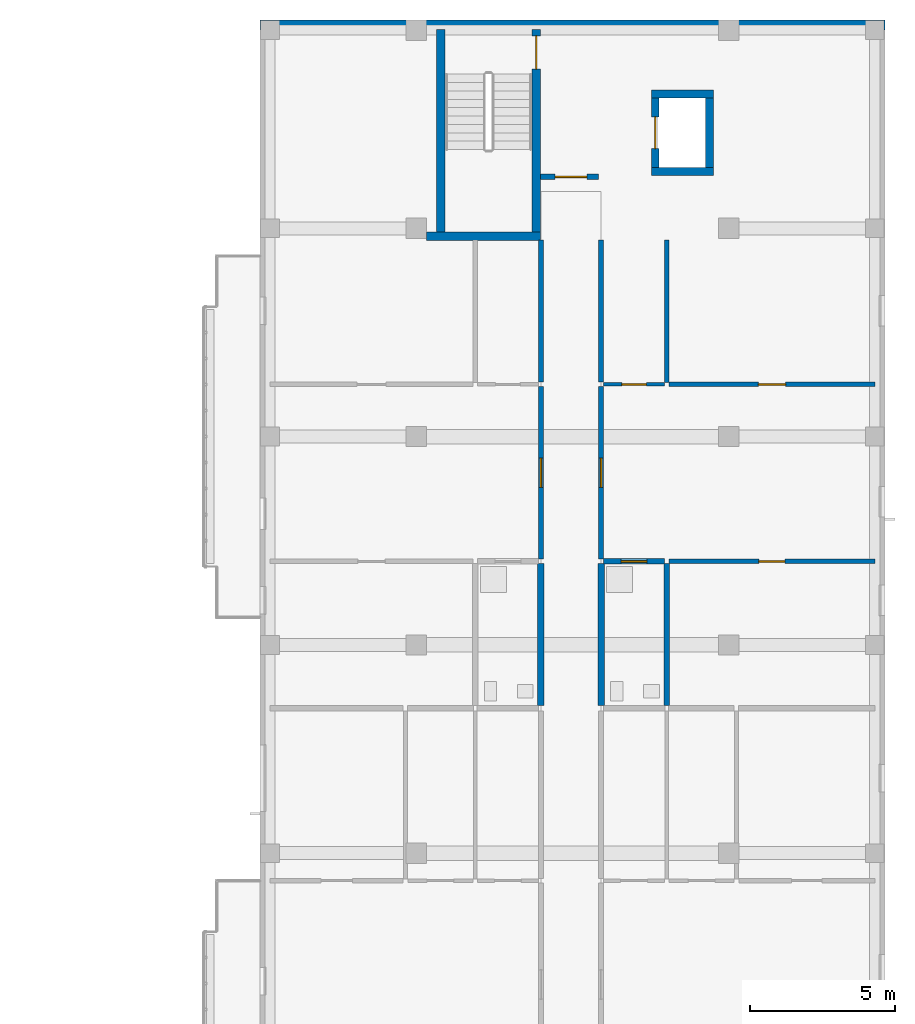
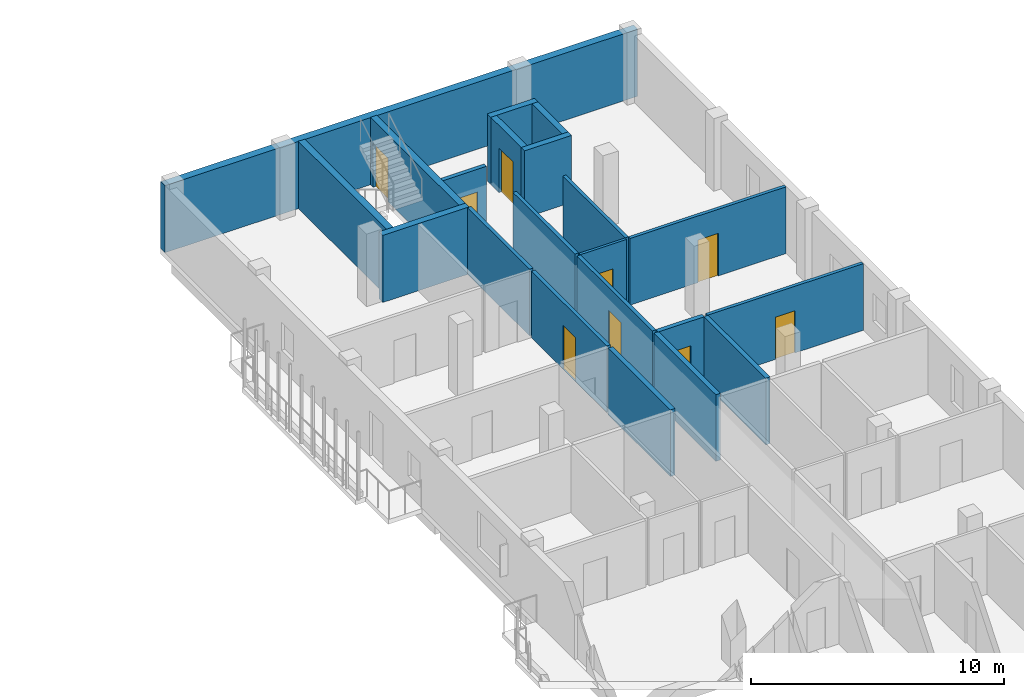
# One storey, part 51 of 73: 21 walls, 9 doors, 9 openings.
"""IFC4 building model written with IfcOpenShell, lengths in metres."""

from ifc_helpers import new_model, si_unit, derived_unit, direction, frame, frame_2d, origin, place, context, subcontext, project, spatial, rectangle, extrude, material, layer, layer_set, type_object, element, fill, save


model = new_model("IFC4")

# Units and contexts
model_context = context("Model", 3, precision=1e-05, world=origin(), true_north=direction((0.0, 1.0)))
body_context = subcontext(model_context, "Body", "Model", "MODEL_VIEW")
ifc_project = project(units=[si_unit("LENGTHUNIT", "METRE"), si_unit("AREAUNIT", "SQUARE_METRE"), si_unit("VOLUMEUNIT", "CUBIC_METRE"), si_unit("PLANEANGLEUNIT", "RADIAN"), si_unit("MASSUNIT", "GRAM", prefix="KILO"), derived_unit("THERMALTRANSMITTANCEUNIT", [(si_unit("MASSUNIT", "GRAM", prefix="KILO"), 1), (si_unit("TIMEUNIT", "SECOND"), -3), (si_unit("THERMODYNAMICTEMPERATUREUNIT", "KELVIN"), -1)])], contexts=[model_context])

# Site, building, storey
site_placement = place(None, origin())
site = spatial("IfcSite", under=ifc_project, at=site_placement, CompositionType="ELEMENT")
building_placement = place(site_placement, origin())
building = spatial("IfcBuilding", under=site, at=building_placement, Name="Ochrekiln Boulevard Commons", CompositionType="ELEMENT")
storey_placement = place(building_placement, frame((0.0, 0.0, 8.574951171875)))
storey = spatial("IfcBuildingStorey", under=building, at=storey_placement, Name="L02", CompositionType="ELEMENT", Elevation=8.574951171875)

# Wall
ifc_material_1 = material(Name="Iron-spot brown clinker brick masonry ASTM C216 Grade SW", Category="masonry")
ifc_layer_1 = layer(ifc_material_1, 0.340087890625)
ifc_layer_set_1 = layer_set([ifc_layer_1], Name="Iron-spot brown clinker brick masonry ASTM C216 Grade SW")
wall_type_1 = type_object("IfcWallType", Name="WL-EXT-IRON-340", PredefinedType="SOLIDWALL", material=ifc_layer_set_1)
wall_1_placement = place(storey_placement, frame((151.199951171875, 118.6298828125, 0.0), z_axis=(0.0, 0.0, 1.0), x_axis=(1.0, 0.0, 0.0)))
element("IfcWall", 1, at=wall_1_placement, inside=storey, type_object=wall_type_1, Name="Block B L02 N Exterior Wall", PredefinedType="SOLIDWALL", context=body_context, shape_type="SweptSolid", body=[
    extrude(rectangle(XDim=21.60009765625, YDim=0.340087890625, at=frame_2d((10.800048828125, 0.0))), origin(), (0.0, 0.0, 1.0), 3.239990234375),
])

# Wall, opening, door
ifc_material_2 = material(Name="Moisture-resistant cementitious tile backer wall")
ifc_layer_2 = layer(ifc_material_2, 0.199951171875)
ifc_layer_set_2 = layer_set([ifc_layer_2], Name="Moisture-resistant cementitious tile backer wall")
wall_type_2 = type_object("IfcWallType", Name="WL-PLM-200", PredefinedType="PLUMBINGWALL", material=ifc_layer_set_2)
wall_2_placement = place(storey_placement, frame((163.072998046875, 100.090087890625, 0.0), z_axis=(0.0, 0.0, 1.0), x_axis=(1.0, 0.0, 0.0)))
wall_2 = element("IfcWall", 2, at=wall_2_placement, inside=storey, type_object=wall_type_2, Name="L02 Interior Wall W-PW200", PredefinedType="PLUMBINGWALL", context=body_context, shape_type="SweptSolid", body=[
    extrude(rectangle(XDim=2.10693359375, YDim=0.199951171875, at=frame_2d((1.053466796875, 0.0))), origin(), (0.0, 0.0, 1.0), 3.219970703125),
])
opening_1_placement = place(wall_2_placement, frame((0.612060546875, 0.0, 0.0)))
opening_1 = element("IfcOpeningElement", 3, at=opening_1_placement, cuts=wall_2, Name="Opening D-L02-361", PredefinedType="OPENING", context=body_context, shape_type="SweptSolid", body=[
    extrude(rectangle(XDim=0.889892578125, YDim=2.030029296875, at=frame_2d((0.44482421875, 1.01513671875))), frame((0.0, 0.10986328125, 0.0), z_axis=(0.0, -1.0, 0.0), x_axis=(1.0, 0.0, 0.0)), (0.0, 0.0, 1.0), 0.219970703125),
])
ifc_material_3 = material(Name="Solid core architectural oak door leaf")
door_type_1 = type_object("IfcDoorType", Name="DR-INT-BTH-089", OperationType="NOTDEFINED", PredefinedType="DOOR", material=ifc_material_3)
door_1_placement = place(opening_1_placement, frame((0.889892578125, 0.0, 0.0), z_axis=(0.0, 0.0, 1.0), x_axis=(-1.0, 0.0, 0.0)))
door_1 = element("IfcDoor", 4, at=door_1_placement, inside=storey, type_object=door_type_1, Name="L02 Interior Door to Apartment Bathroom", OperationType="SINGLE_SWING_LEFT", OverallHeight=2.030029296875, OverallWidth=0.889892578125, PredefinedType="DOOR", context=body_context, shape_type="SweptSolid", body=[
    extrude(rectangle(XDim=0.889892578125, YDim=2.030029296875, at=frame_2d((0.44482421875, 1.01513671875))), frame((0.0, 0.02490234375, 0.0), z_axis=(0.0, -1.0, 0.0), x_axis=(1.0, 0.0, 0.0)), (0.0, 0.0, 1.0), 0.050048828125),
])
fill(opening_1, door_1)

# Walls
wall_3_placement = place(storey_placement, frame((165.260009765625, 95.097900390625, 0.0), z_axis=(0.0, 0.0, 1.0), x_axis=(0.0, 1.0, 0.0)))
element("IfcWall", 5, at=wall_3_placement, inside=storey, type_object=wall_type_2, Name="L02 Interior Wall W-PW200", PredefinedType="PLUMBINGWALL", context=body_context, shape_type="SweptSolid", body=[
    extrude(rectangle(XDim=4.912109375, YDim=0.199951171875, at=frame_2d((2.4560546875, 0.0))), origin(), (0.0, 0.0, 1.0), 3.219970703125),
])
ifc_layer_3 = layer(ifc_material_2, 0.219970703125)
ifc_layer_set_3 = layer_set([ifc_layer_3], Name="Moisture-resistant cementitious tile backer wall")
wall_type_3 = type_object("IfcWallType", Name="WL-PLM-220", PredefinedType="PLUMBINGWALL", material=ifc_layer_set_3)
for number, where, z_axis, x_axis, name in (
    (6, (160.909912109375, 95.097900390625, 0.0), (0.0, 0.0, 1.0), (0.0, 1.0, 0.0), "L02 Interior Wall W-PW220"),
    (7, (162.989990234375, 95.097900390625, 0.0), (0.0, 0.0, 1.0), (0.0, 1.0, 0.0), "L02 Interior Wall W-PW220"),
):
    element("IfcWall", number, at=place(storey_placement, frame(where, z_axis=z_axis, x_axis=x_axis)), inside=storey, type_object=wall_type_3, Name=name, PredefinedType="PLUMBINGWALL", context=body_context, shape_type="SweptSolid", body=[
        extrude(rectangle(XDim=4.912109375, YDim=0.219970703125, at=frame_2d((2.4560546875, 0.0))), origin(), (0.0, 0.0, 1.0), 3.219970703125),
    ])

# Wall, opening, door
ifc_material_4 = material(Name="Fire-rated Type X gypsum board on steel studs", Category="steel")
ifc_layer_4 = layer(ifc_material_4, 0.1650390625)
ifc_layer_set_4 = layer_set([ifc_layer_4], Name="Fire-rated Type X gypsum board on steel studs")
wall_type_4 = type_object("IfcWallType", Name="WL-PT-CORR-165", PredefinedType="PARTITIONING", material=ifc_layer_set_4)
wall_4_placement = place(storey_placement, frame((160.909912109375, 100.169921875, 0.0), z_axis=(0.0, 0.0, 1.0), x_axis=(0.0, 1.0, 0.0)))
wall_4 = element("IfcWall", 8, at=wall_4_placement, inside=storey, type_object=wall_type_4, Name="L02 Interior Wall W-PC165", PredefinedType="PARTITIONING", context=body_context, shape_type="SweptSolid", body=[
    extrude(rectangle(XDim=5.9580078125, YDim=0.1650390625, at=frame_2d((2.97900390625, 0.0))), origin(), (0.0, 0.0, 1.0), 3.219970703125),
])
opening_2_placement = place(wall_4_placement, frame((2.47412109375, 0.0, 0.0)))
opening_2 = element("IfcOpeningElement", 9, at=opening_2_placement, cuts=wall_4, Name="Opening D-L02-340", PredefinedType="OPENING", context=body_context, shape_type="SweptSolid", body=[
    extrude(rectangle(XDim=1.010009765625, YDim=2.110107421875, at=frame_2d((0.5048828125, 1.05517578125))), frame((0.0, 0.092529296875, 0.0), z_axis=(0.0, -1.0, 0.0), x_axis=(1.0, 0.0, 0.0)), (0.0, 0.0, 1.0), 0.18505859375),
])
door_type_2 = type_object("IfcDoorType", Name="DR-INT-APT-101", OperationType="NOTDEFINED", PredefinedType="DOOR", material=ifc_material_3)
door_2_placement = place(opening_2_placement, origin())
door_2 = element("IfcDoor", 10, at=door_2_placement, inside=storey, type_object=door_type_2, Name="L02 Interior Door to Two-Bedroom Apartment Living Room", OperationType="SINGLE_SWING_RIGHT", OverallHeight=2.110107421875, OverallWidth=1.010009765625, PredefinedType="DOOR", context=body_context, shape_type="SweptSolid", body=[
    extrude(rectangle(XDim=1.010009765625, YDim=2.110107421875, at=frame_2d((0.5048828125, 1.05517578125))), frame((0.0, 0.02490234375, 0.0), z_axis=(0.0, -1.0, 0.0), x_axis=(1.0, 0.0, 0.0)), (0.0, 0.0, 1.0), 0.050048828125),
])
fill(opening_2, door_2)

# Wall
wall_5_placement = place(storey_placement, frame((160.909912109375, 106.2880859375, 0.0), z_axis=(0.0, 0.0, 1.0), x_axis=(0.0, 1.0, 0.0)))
element("IfcWall", 11, at=wall_5_placement, inside=storey, type_object=wall_type_4, Name="L02 Interior Wall W-PC165", PredefinedType="PARTITIONING", context=body_context, shape_type="SweptSolid", body=[
    extrude(rectangle(XDim=4.911865234375, YDim=0.1650390625, at=frame_2d((2.4560546875, 0.0))), origin(), (0.0, 0.0, 1.0), 3.219970703125),
])

# Wall, opening, door
wall_6_placement = place(storey_placement, frame((162.989990234375, 100.169921875, 0.0), z_axis=(0.0, 0.0, 1.0), x_axis=(0.0, 1.0, 0.0)))
wall_6 = element("IfcWall", 12, at=wall_6_placement, inside=storey, type_object=wall_type_4, Name="L02 Interior Wall W-PC165", PredefinedType="PARTITIONING", context=body_context, shape_type="SweptSolid", body=[
    extrude(rectangle(XDim=5.9580078125, YDim=0.1650390625, at=frame_2d((2.97900390625, 0.0))), origin(), (0.0, 0.0, 1.0), 3.219970703125),
])
opening_3_placement = place(wall_6_placement, frame((2.47412109375, 0.0, 0.0)))
opening_3 = element("IfcOpeningElement", 13, at=opening_3_placement, cuts=wall_6, Name="Opening D-L02-342", PredefinedType="OPENING", context=body_context, shape_type="SweptSolid", body=[
    extrude(rectangle(XDim=1.010009765625, YDim=2.110107421875, at=frame_2d((0.5048828125, 1.05517578125))), frame((0.0, 0.092529296875, 0.0), z_axis=(0.0, -1.0, 0.0), x_axis=(1.0, 0.0, 0.0)), (0.0, 0.0, 1.0), 0.18505859375),
])
door_3_placement = place(opening_3_placement, frame((1.010009765625, 0.0, 0.0), z_axis=(0.0, 0.0, 1.0), x_axis=(-1.0, 0.0, 0.0)))
door_3 = element("IfcDoor", 14, at=door_3_placement, inside=storey, type_object=door_type_2, Name="L02 Interior Door to Two-Bedroom Apartment Living Room", OperationType="SINGLE_SWING_RIGHT", OverallHeight=2.110107421875, OverallWidth=1.010009765625, PredefinedType="DOOR", context=body_context, shape_type="SweptSolid", body=[
    extrude(rectangle(XDim=1.010009765625, YDim=2.110107421875, at=frame_2d((0.5048828125, 1.05517578125))), frame((0.0, 0.02490234375, 0.0), z_axis=(0.0, -1.0, 0.0), x_axis=(1.0, 0.0, 0.0)), (0.0, 0.0, 1.0), 0.050048828125),
])
fill(opening_3, door_3)

# Wall
wall_7_placement = place(storey_placement, frame((162.989990234375, 106.2880859375, 0.0), z_axis=(0.0, 0.0, 1.0), x_axis=(0.0, 1.0, 0.0)))
element("IfcWall", 15, at=wall_7_placement, inside=storey, type_object=wall_type_4, Name="L02 Interior Wall W-PC165", PredefinedType="PARTITIONING", context=body_context, shape_type="SweptSolid", body=[
    extrude(rectangle(XDim=4.911865234375, YDim=0.1650390625, at=frame_2d((2.4560546875, 0.0))), origin(), (0.0, 0.0, 1.0), 3.219970703125),
])

# Wall, opening, door
ifc_layer_5 = layer(ifc_material_4, 0.18994140625)
ifc_layer_set_5 = layer_set([ifc_layer_5], Name="Fire-rated Type X gypsum board on steel studs")
wall_type_5 = type_object("IfcWallType", Name="WL-PT-LBY-190", PredefinedType="PARTITIONING", material=ifc_layer_set_5)
wall_8_placement = place(storey_placement, frame((160.89990234375, 113.3798828125, 0.0), z_axis=(0.0, 0.0, 1.0), x_axis=(1.0, 0.0, 0.0)))
wall_8 = element("IfcWall", 16, at=wall_8_placement, inside=storey, type_object=wall_type_5, Name="L02 Interior Wall W-PL190", PredefinedType="PARTITIONING", context=body_context, shape_type="SweptSolid", body=[
    extrude(rectangle(XDim=2.0, YDim=0.18994140625, at=frame_2d((1.0, 0.0))), origin(), (0.0, 0.0, 1.0), 3.219970703125),
])
opening_4_placement = place(wall_8_placement, frame((0.5, 0.0, 0.0)))
opening_4 = element("IfcOpeningElement", 17, at=opening_4_placement, cuts=wall_8, Name="Opening D-L02-337", PredefinedType="OPENING", context=body_context, shape_type="SweptSolid", body=[
    extrude(rectangle(XDim=1.10009765625, YDim=2.1201171875, at=frame_2d((0.550048828125, 1.06005859375))), frame((0.0, 0.10498046875, 0.0), z_axis=(0.0, -1.0, 0.0), x_axis=(1.0, 0.0, 0.0)), (0.0, 0.0, 1.0), 0.2099609375),
])
ifc_material_5 = material(Name="Hollow metal fire-rated steel door assembly", Category="steel")
door_type_3 = type_object("IfcDoorType", Name="DR-LOBBY-60", OperationType="NOTDEFINED", PredefinedType="DOOR", material=ifc_material_5)
door_4_placement = place(opening_4_placement, origin())
door_4 = element("IfcDoor", 18, at=door_4_placement, inside=storey, type_object=door_type_3, Name="L02 Interior Door to Fire Service Access Elevator Lobby", OperationType="SINGLE_SWING_LEFT", OverallHeight=2.1201171875, OverallWidth=1.10009765625, PredefinedType="DOOR", context=body_context, shape_type="SweptSolid", body=[
    extrude(rectangle(XDim=1.10009765625, YDim=2.1201171875, at=frame_2d((0.550048828125, 1.06005859375))), frame((0.0, 0.02490234375, 0.0), z_axis=(0.0, -1.0, 0.0), x_axis=(1.0, 0.0, 0.0)), (0.0, 0.0, 1.0), 0.050048828125),
])
fill(opening_4, door_4)

ifc_layer_6 = layer(ifc_material_4, 0.1201171875)
ifc_layer_set_6 = layer_set([ifc_layer_6], Name="Fire-rated Type X gypsum board on steel studs")
wall_type_6 = type_object("IfcWallType", Name="WL-PT-LGT-120", PredefinedType="PARTITIONING", material=ifc_layer_set_6)
wall_9_placement = place(storey_placement, frame((163.072998046875, 106.2080078125, 0.0), z_axis=(0.0, 0.0, 1.0), x_axis=(1.0, 0.0, 0.0)))
wall_9 = element("IfcWall", 19, at=wall_9_placement, inside=storey, type_object=wall_type_6, Name="L02 Interior Wall W-PL120", PredefinedType="PARTITIONING", context=body_context, shape_type="SweptSolid", body=[
    extrude(rectangle(XDim=2.10693359375, YDim=0.1201171875, at=frame_2d((1.053466796875, 0.0))), origin(), (0.0, 0.0, 1.0), 3.219970703125),
])
opening_5_placement = place(wall_9_placement, frame((0.632080078125, 0.0, 0.0)))
opening_5 = element("IfcOpeningElement", 20, at=opening_5_placement, cuts=wall_9, Name="Opening D-L02-362", PredefinedType="OPENING", context=body_context, shape_type="SweptSolid", body=[
    extrude(rectangle(XDim=0.85009765625, YDim=2.010009765625, at=frame_2d((0.425048828125, 1.0048828125))), frame((0.0, 0.070068359375, 0.0), z_axis=(0.0, -1.0, 0.0), x_axis=(1.0, 0.0, 0.0)), (0.0, 0.0, 1.0), 0.14013671875),
])
door_type_4 = type_object("IfcDoorType", Name="DR-INT-KIT-085", OperationType="NOTDEFINED", PredefinedType="DOOR", material=ifc_material_3)
door_5_placement = place(opening_5_placement, origin())
door_5 = element("IfcDoor", 21, at=door_5_placement, inside=storey, type_object=door_type_4, Name="L02 Interior Door to Apartment Kitchen", OperationType="SINGLE_SWING_RIGHT", OverallHeight=2.010009765625, OverallWidth=0.85009765625, PredefinedType="DOOR", context=body_context, shape_type="SweptSolid", body=[
    extrude(rectangle(XDim=0.85009765625, YDim=2.010009765625, at=frame_2d((0.425048828125, 1.0048828125))), frame((0.0, 0.02490234375, 0.0), z_axis=(0.0, -1.0, 0.0), x_axis=(1.0, 0.0, 0.0)), (0.0, 0.0, 1.0), 0.050048828125),
])
fill(opening_5, door_5)

ifc_layer_7 = layer(ifc_material_4, 0.14990234375)
ifc_layer_set_7 = layer_set([ifc_layer_7], Name="Fire-rated Type X gypsum board on steel studs")
wall_type_7 = type_object("IfcWallType", Name="WL-PT-STD-150", PredefinedType="PARTITIONING", material=ifc_layer_set_7)
wall_10_placement = place(storey_placement, frame((165.340087890625, 100.090087890625, 0.0), z_axis=(0.0, 0.0, 1.0), x_axis=(1.0, 0.0, 0.0)))
wall_10 = element("IfcWall", 22, at=wall_10_placement, inside=storey, type_object=wall_type_7, Name="L02 Interior Wall W-PS150", PredefinedType="PARTITIONING", context=body_context, shape_type="SweptSolid", body=[
    extrude(rectangle(XDim=7.119873046875, YDim=0.14990234375, at=frame_2d((3.56005859375, 0.0))), origin(), (0.0, 0.0, 1.0), 3.219970703125),
])
opening_6_placement = place(wall_10_placement, frame((3.10498046875, 0.0, 0.0)))
opening_6 = element("IfcOpeningElement", 23, at=opening_6_placement, cuts=wall_10, Name="Opening D-L02-363", PredefinedType="OPENING", context=body_context, shape_type="SweptSolid", body=[
    extrude(rectangle(XDim=0.89990234375, YDim=2.0400390625, at=frame_2d((0.449951171875, 1.02001953125))), frame((0.0, 0.0849609375, 0.0), z_axis=(0.0, -1.0, 0.0), x_axis=(1.0, 0.0, 0.0)), (0.0, 0.0, 1.0), 0.169921875),
])
door_type_5 = type_object("IfcDoorType", Name="DR-INT-BED-090", OperationType="NOTDEFINED", PredefinedType="DOOR", material=ifc_material_3)
door_6_placement = place(opening_6_placement, frame((0.89990234375, 0.0, 0.0), z_axis=(0.0, 0.0, 1.0), x_axis=(-1.0, 0.0, 0.0)))
door_6 = element("IfcDoor", 24, at=door_6_placement, inside=storey, type_object=door_type_5, Name="L02 Interior Door to Primary Apartment Bedroom", OperationType="SINGLE_SWING_LEFT", OverallHeight=2.0400390625, OverallWidth=0.89990234375, PredefinedType="DOOR", context=body_context, shape_type="SweptSolid", body=[
    extrude(rectangle(XDim=0.89990234375, YDim=2.0400390625, at=frame_2d((0.449951171875, 1.02001953125))), frame((0.0, 0.02490234375, 0.0), z_axis=(0.0, -1.0, 0.0), x_axis=(1.0, 0.0, 0.0)), (0.0, 0.0, 1.0), 0.050048828125),
])
fill(opening_6, door_6)

wall_11_placement = place(storey_placement, frame((165.340087890625, 106.2080078125, 0.0), z_axis=(0.0, 0.0, 1.0), x_axis=(1.0, 0.0, 0.0)))
wall_11 = element("IfcWall", 25, at=wall_11_placement, inside=storey, type_object=wall_type_7, Name="L02 Interior Wall W-PS150", PredefinedType="PARTITIONING", context=body_context, shape_type="SweptSolid", body=[
    extrude(rectangle(XDim=7.119873046875, YDim=0.14990234375, at=frame_2d((3.56005859375, 0.0))), origin(), (0.0, 0.0, 1.0), 3.219970703125),
])
opening_7_placement = place(wall_11_placement, frame((3.0849609375, 0.0, 0.0)))
opening_7 = element("IfcOpeningElement", 26, at=opening_7_placement, cuts=wall_11, Name="Opening D-L02-364", PredefinedType="OPENING", context=body_context, shape_type="SweptSolid", body=[
    extrude(rectangle(XDim=0.93994140625, YDim=2.06005859375, at=frame_2d((0.469970703125, 1.030029296875))), frame((0.0, 0.0849609375, 0.0), z_axis=(0.0, -1.0, 0.0), x_axis=(1.0, 0.0, 0.0)), (0.0, 0.0, 1.0), 0.169921875),
])
door_type_6 = type_object("IfcDoorType", Name="DR-INT-BED-094", OperationType="NOTDEFINED", PredefinedType="DOOR", material=ifc_material_3)
door_7_placement = place(opening_7_placement, origin())
door_7 = element("IfcDoor", 27, at=door_7_placement, inside=storey, type_object=door_type_6, Name="L02 Interior Door to Secondary Apartment Bedroom", OperationType="SINGLE_SWING_RIGHT", OverallHeight=2.06005859375, OverallWidth=0.93994140625, PredefinedType="DOOR", context=body_context, shape_type="SweptSolid", body=[
    extrude(rectangle(XDim=0.93994140625, YDim=2.06005859375, at=frame_2d((0.469970703125, 1.030029296875))), frame((0.0, 0.02490234375, 0.0), z_axis=(0.0, -1.0, 0.0), x_axis=(1.0, 0.0, 0.0)), (0.0, 0.0, 1.0), 0.050048828125),
])
fill(opening_7, door_7)

# Walls
wall_12_placement = place(storey_placement, frame((165.260009765625, 106.26806640625, 0.0), z_axis=(0.0, 0.0, 1.0), x_axis=(0.0, 1.0, 0.0)))
element("IfcWall", 28, at=wall_12_placement, inside=storey, type_object=wall_type_7, Name="L02 Interior Wall W-PS150", PredefinedType="PARTITIONING", context=body_context, shape_type="SweptSolid", body=[
    extrude(rectangle(XDim=4.931884765625, YDim=0.14990234375, at=frame_2d((2.4658203125, 0.0))), origin(), (0.0, 0.0, 1.0), 3.219970703125),
])
ifc_material_6 = material(Name="Concrete C40/50", Category="concrete")
ifc_layer_8 = layer(ifc_material_6, 0.27490234375)
ifc_layer_set_8 = layer_set([ifc_layer_8], Name="Concrete C40/50")
wall_type_8 = type_object("IfcWallType", Name="WL-SH-275", PredefinedType="SHEAR", material=ifc_layer_set_8)
for number, where, z_axis, x_axis, name in (
    (29, (164.72509765625, 113.5625, 0.0), (0.0, 0.0, 1.0), (1.0, 0.0, 0.0), "Elevator FF-B2 L02 Hoistway Shear Wall"),
    (30, (164.72509765625, 116.237548828125, 0.0), (0.0, 0.0, 1.0), (1.0, 0.0, 0.0), "Elevator FF-B2 L02 Hoistway Shear Wall"),
):
    element("IfcWall", number, at=place(storey_placement, frame(where, z_axis=z_axis, x_axis=x_axis)), inside=storey, type_object=wall_type_8, Name=name, PredefinedType="SHEAR", context=body_context, shape_type="SweptSolid", body=[
        extrude(rectangle(XDim=2.14990234375, YDim=0.27490234375, at=frame_2d((1.074951171875, 0.0))), origin(), (0.0, 0.0, 1.0), 3.239990234375),
    ])

# Wall, opening, door
wall_13_placement = place(storey_placement, frame((164.862548828125, 113.699951171875, 0.0), z_axis=(0.0, 0.0, 1.0), x_axis=(0.0, 1.0, 0.0)))
wall_13 = element("IfcWall", 31, at=wall_13_placement, inside=storey, type_object=wall_type_8, Name="Elevator FF-B2 L02 Hoistway Shear Wall", PredefinedType="SHEAR", context=body_context, shape_type="SweptSolid", body=[
    extrude(rectangle(XDim=2.400146484375, YDim=0.27490234375, at=frame_2d((1.2001953125, 0.0))), origin(), (0.0, 0.0, 1.0), 3.239990234375),
])
opening_8_placement = place(wall_13_placement, frame((0.64990234375, 0.0, 0.0)))
opening_8 = element("IfcOpeningElement", 32, at=opening_8_placement, cuts=wall_13, Name="Opening LD-FF-B2-L02", PredefinedType="OPENING", context=body_context, shape_type="SweptSolid", body=[
    extrude(rectangle(XDim=1.10009765625, YDim=2.14990234375, at=frame_2d((0.550048828125, 1.074951171875))), frame((0.0, 0.1474609375, 0.0), z_axis=(0.0, -1.0, 0.0), x_axis=(1.0, 0.0, 0.0)), (0.0, 0.0, 1.0), 0.294921875),
])
ifc_material_7 = material(Name="Brushed stainless steel 316 elevator cab and doors", Category="steel")
door_type_7 = type_object("IfcDoorType", Name="DR-LIFT-LD90", OperationType="SLIDING_TO_LEFT", PredefinedType="DOOR", material=ifc_material_7)
door_8_placement = place(opening_8_placement, origin())
door_8 = element("IfcDoor", 33, at=door_8_placement, inside=storey, type_object=door_type_7, Name="Elevator FF-B2 L02 Sliding Landing Door LD-FF-B2-L02", OperationType="SLIDING_TO_LEFT", OverallHeight=2.14990234375, OverallWidth=1.10009765625, PredefinedType="DOOR", context=body_context, shape_type="SweptSolid", body=[
    extrude(rectangle(XDim=1.10009765625, YDim=2.14990234375, at=frame_2d((0.550048828125, 1.074951171875))), frame((0.0, 0.02490234375, 0.0), z_axis=(0.0, -1.0, 0.0), x_axis=(1.0, 0.0, 0.0)), (0.0, 0.0, 1.0), 0.050048828125),
])
fill(opening_8, door_8)

# Walls
wall_14_placement = place(storey_placement, frame((166.737548828125, 113.699951171875, 0.0), z_axis=(0.0, 0.0, 1.0), x_axis=(0.0, 1.0, 0.0)))
element("IfcWall", 34, at=wall_14_placement, inside=storey, type_object=wall_type_8, Name="Elevator FF-B2 L02 Hoistway Shear Wall", PredefinedType="SHEAR", context=body_context, shape_type="SweptSolid", body=[
    extrude(rectangle(XDim=2.400146484375, YDim=0.27490234375, at=frame_2d((1.2001953125, 0.0))), origin(), (0.0, 0.0, 1.0), 3.239990234375),
])
ifc_layer_9 = layer(ifc_material_6, 0.300048828125)
ifc_layer_set_9 = layer_set([ifc_layer_9], Name="Concrete C40/50")
wall_type_9 = type_object("IfcWallType", Name="WL-SH-300", PredefinedType="SHEAR", material=ifc_layer_set_9)
wall_15_placement = place(storey_placement, frame((156.949951171875, 111.330078125, 0.0), z_axis=(0.0, 0.0, 1.0), x_axis=(1.0, 0.0, 0.0)))
element("IfcWall", 35, at=wall_15_placement, inside=storey, type_object=wall_type_9, Name="Stair ST-B2 L02 Core Shear Wall S", PredefinedType="SHEAR", context=body_context, shape_type="SweptSolid", body=[
    extrude(rectangle(XDim=3.949951171875, YDim=0.300048828125, at=frame_2d((1.97509765625, 0.0))), origin(), (0.0, 0.0, 1.0), 3.239990234375),
])
wall_16_placement = place(storey_placement, frame((157.449951171875, 111.47998046875, 0.0), z_axis=(0.0, 0.0, 1.0), x_axis=(0.0, 1.0, 0.0)))
element("IfcWall", 36, at=wall_16_placement, inside=storey, type_object=wall_type_9, Name="Stair ST-B2 L02 Core Shear Wall W", PredefinedType="SHEAR", context=body_context, shape_type="SweptSolid", body=[
    extrude(rectangle(XDim=7.0, YDim=0.300048828125, at=frame_2d((3.5, 0.0))), origin(), (0.0, 0.0, 1.0), 3.239990234375),
])

# Wall, opening, door
wall_17_placement = place(storey_placement, frame((160.75, 111.47998046875, 0.0), z_axis=(0.0, 0.0, 1.0), x_axis=(0.0, 1.0, 0.0)))
wall_17 = element("IfcWall", 37, at=wall_17_placement, inside=storey, type_object=wall_type_9, Name="Stair ST-B2 L02 Core Shear Wall E", PredefinedType="SHEAR", context=body_context, shape_type="SweptSolid", body=[
    extrude(rectangle(XDim=7.0, YDim=0.300048828125, at=frame_2d((3.5, 0.0))), origin(), (0.0, 0.0, 1.0), 3.239990234375),
])
opening_9_placement = place(wall_17_placement, frame((5.625, 0.0, 0.0)))
opening_9 = element("IfcOpeningElement", 38, at=opening_9_placement, cuts=wall_17, Name="Opening D-L02-ST-B2", PredefinedType="OPENING", context=body_context, shape_type="SweptSolid", body=[
    extrude(rectangle(XDim=1.14990234375, YDim=2.1201171875, at=frame_2d((0.574951171875, 1.06005859375))), frame((0.0, 0.159912109375, 0.0), z_axis=(0.0, -1.0, 0.0), x_axis=(1.0, 0.0, 0.0)), (0.0, 0.0, 1.0), 0.320068359375),
])
door_type_8 = type_object("IfcDoorType", Name="DR-STAIR-90", OperationType="NOTDEFINED", PredefinedType="DOOR", material=ifc_material_5)
door_9_placement = place(opening_9_placement, origin())
door_9 = element("IfcDoor", 39, at=door_9_placement, inside=storey, type_object=door_type_8, Name="Enclosed Exit Stair ST-B2 L02 Rated Door", OperationType="SINGLE_SWING_RIGHT", OverallHeight=2.1201171875, OverallWidth=1.14990234375, PredefinedType="DOOR", context=body_context, shape_type="SweptSolid", body=[
    extrude(rectangle(XDim=1.14990234375, YDim=2.1201171875, at=frame_2d((0.574951171875, 1.06005859375))), frame((0.0, 0.02490234375, 0.0), z_axis=(0.0, -1.0, 0.0), x_axis=(1.0, 0.0, 0.0)), (0.0, 0.0, 1.0), 0.050048828125),
])
fill(opening_9, door_9)

save(model, "model.ifc")
